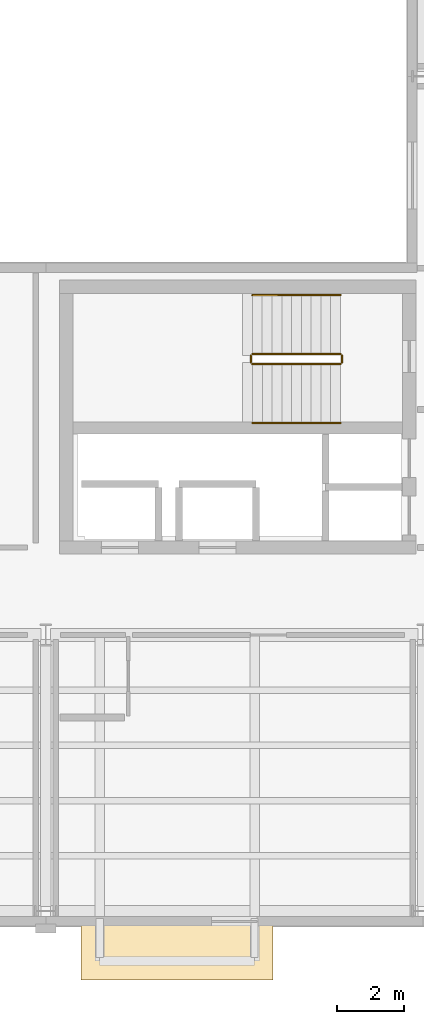
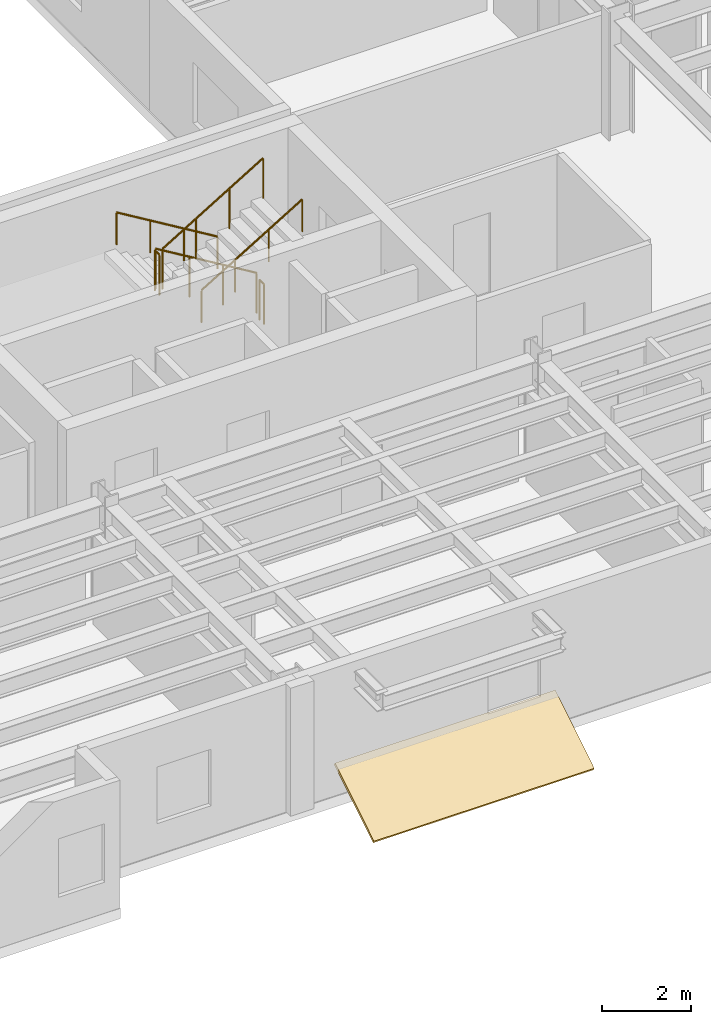
# One storey, part 22 of 23: 6 railings, 1 covering.
"""IFC4 building model written with IfcOpenShell, lengths in metres."""

from ifc_helpers import new_model, si_unit, direction, frame, origin, origin_2d, place, context, subcontext, project, spatial, polyline, circle, outline, extrude, material, layer, layer_set, type_object, element, save


model = new_model("IFC4")

# Units and contexts
model_context = context("Model", 3, precision=1e-05, world=origin(), true_north=direction((0.0, 1.0)))
body_context = subcontext(model_context, "Body", "Model", "MODEL_VIEW")
ifc_project = project(units=[si_unit("LENGTHUNIT", "METRE"), si_unit("AREAUNIT", "SQUARE_METRE"), si_unit("VOLUMEUNIT", "CUBIC_METRE"), si_unit("PLANEANGLEUNIT", "RADIAN"), si_unit("MASSUNIT", "GRAM", prefix="KILO")], contexts=[model_context])

# Site, building, storey
site_placement = place(None, origin())
site = spatial("IfcSite", under=ifc_project, at=site_placement, CompositionType="ELEMENT")
building_placement = place(site_placement, origin())
building = spatial("IfcBuilding", under=site, at=building_placement, Name="Sollismere Congress Hotel", CompositionType="ELEMENT")
storey_placement = place(building_placement, frame((0.0, 0.0, 30.60009765625)))
storey = spatial("IfcBuildingStorey", under=building, at=storey_placement, Name="L07", CompositionType="ELEMENT", Elevation=30.60009765625)

# Covering
ifc_material_1 = material(Name="Standing-Seam Titanium-Zinc Roof Assembly")
ifc_layer = layer(ifc_material_1, 0.054931640625, Name="Standing-Seam Titanium-Zinc Roof Assembly")
ifc_layer_set = layer_set([ifc_layer], Name="Standing-Seam Titanium-Zinc Roof Assembly")
covering_type = type_object("IfcCoveringType", Name="CV-RFZNC", PredefinedType="ROOFING", material=ifc_layer_set)
covering_placement = place(storey_placement, frame((137.050048828125, -2.008056640625, -0.373291015625), z_axis=(0.0, -0.525209771298, 0.850972794003), x_axis=(1.0, 0.0, 0.0)))
element("IfcCovering", 1, at=covering_placement, inside=storey, type_object=covering_type, Name="Cikma bay sacak hood SL-CKH-19", PredefinedType="ROOFING", context=body_context, shape_type="SweptSolid", body=[
    extrude(outline(polyline([(0.0, 0.0), (5.699951171875, 0.0), (5.699951171875, 2.056396484375), (0.0, 2.056396484375), (0.0, 0.0)])), origin(), (0.0, 0.0, 1.0), 0.080078125),
])

# Railings
ifc_material_2 = material(Name="Steel ASTM A500 Grade C", Category="steel")
railing_type_1 = type_object("IfcRailingType", Name="RL-GRD112", PredefinedType="GUARDRAIL", material=ifc_material_2)
railing_1_placement = place(storey_placement, frame((144.75, 16.550048828125, 0.1748046875)))
element("IfcRailing", 2, at=railing_1_placement, inside=storey, type_object=railing_type_1, Name="RLG-RG-ST-01-L07-1", PredefinedType="GUARDRAIL", context=body_context, shape_type="SweptSolid", body=[
    extrude(circle(Radius=0.02392578125, at=origin_2d()), frame((0.0, 0.0, 1.09619140625), z_axis=(-0.85616872604, 0.0, 0.516696344627), x_axis=(0.0, -1.0, 0.0)), (0.0, 0.0, 1.0), 3.048583984375),
    extrude(circle(Radius=0.02099609375, at=origin_2d()), origin(), (0.0, 0.0, 1.0), 1.072021484375),
    extrude(circle(Radius=0.02099609375, at=origin_2d()), frame((-0.8701171875, 0.0, 0.525146484375)), (0.0, 0.0, 1.0), 1.072021484375),
    extrude(circle(Radius=0.02099609375, at=origin_2d()), frame((-1.739990234375, 0.0, 1.050048828125)), (0.0, 0.0, 1.0), 1.072021484375),
    extrude(circle(Radius=0.02099609375, at=origin_2d()), frame((-2.610107421875, 0.0, 1.5751953125)), (0.0, 0.0, 1.0), 1.072021484375),
])
railing_2_placement = place(storey_placement, frame((142.090087890625, 16.5, 1.75)))
element("IfcRailing", 3, at=railing_2_placement, inside=storey, type_object=railing_type_1, Name="RLG-RG-ST-01-L07-2", PredefinedType="GUARDRAIL", context=body_context, shape_type="SweptSolid", body=[
    extrude(circle(Radius=0.02392578125, at=origin_2d()), frame((0.0, 0.0, 1.09619140625), z_axis=(0.0, -1.0, 0.0), x_axis=(1.0, 0.0, 0.0)), (0.0, 0.0, 1.0), 0.199951171875),
    extrude(circle(Radius=0.02099609375, at=origin_2d()), origin(), (0.0, 0.0, 1.0), 1.072021484375),
    extrude(circle(Radius=0.02099609375, at=origin_2d()), frame((0.0, -0.199951171875, 0.0)), (0.0, 0.0, 1.0), 1.072021484375),
])
railing_3_placement = place(storey_placement, frame((142.139892578125, 16.25, 1.9248046875)))
element("IfcRailing", 4, at=railing_3_placement, inside=storey, type_object=railing_type_1, Name="RLG-RG-ST-01-L07-3", PredefinedType="GUARDRAIL", context=body_context, shape_type="SweptSolid", body=[
    extrude(circle(Radius=0.02392578125, at=origin_2d()), frame((0.0, 0.0, 1.09619140625), z_axis=(0.85616872604, 0.0, 0.516696344627), x_axis=(0.0, 1.0, 0.0)), (0.0, 0.0, 1.0), 3.048583984375),
    extrude(circle(Radius=0.02099609375, at=origin_2d()), origin(), (0.0, 0.0, 1.0), 1.072021484375),
    extrude(circle(Radius=0.02099609375, at=origin_2d()), frame((0.8701171875, 0.0, 0.525146484375)), (0.0, 0.0, 1.0), 1.072021484375),
    extrude(circle(Radius=0.02099609375, at=origin_2d()), frame((1.739990234375, 0.0, 1.050048828125)), (0.0, 0.0, 1.0), 1.072021484375),
    extrude(circle(Radius=0.02099609375, at=origin_2d()), frame((2.610107421875, 0.0, 1.5751953125)), (0.0, 0.0, 1.0), 1.072021484375),
])
railing_4_placement = place(storey_placement, frame((144.800048828125, 16.5, 0.0)))
element("IfcRailing", 5, at=railing_4_placement, inside=storey, type_object=railing_type_1, Name="RLG-RG-ST-01-L07-4", PredefinedType="GUARDRAIL", context=body_context, shape_type="SweptSolid", body=[
    extrude(circle(Radius=0.02392578125, at=origin_2d()), frame((0.0, 0.0, 1.09619140625), z_axis=(0.0, -1.0, 0.0), x_axis=(1.0, 0.0, 0.0)), (0.0, 0.0, 1.0), 0.199951171875),
    extrude(circle(Radius=0.02099609375, at=origin_2d()), origin(), (0.0, 0.0, 1.0), 1.072021484375),
    extrude(circle(Radius=0.02099609375, at=origin_2d()), frame((0.0, -0.199951171875, 0.0)), (0.0, 0.0, 1.0), 1.072021484375),
])
ifc_material_3 = material(Name="Brushed Architectural Bronze")
railing_type_2 = type_object("IfcRailingType", Name="RL-HND90", PredefinedType="HANDRAIL", material=ifc_material_3)
railing_5_placement = place(storey_placement, frame((144.75, 18.300048828125, 0.325927734375)))
element("IfcRailing", 6, at=railing_5_placement, inside=storey, type_object=railing_type_2, Name="RLG-RH-ST-01-L07-1", PredefinedType="HANDRAIL", context=body_context, shape_type="SweptSolid", body=[
    extrude(circle(Radius=0.02392578125, at=origin_2d()), frame((0.0, 0.0, 0.8759765625), z_axis=(-0.856204152608, 0.0, 0.516637638057), x_axis=(0.0, -1.0, 0.0)), (0.0, 0.0, 1.0), 3.048583984375),
    extrude(circle(Radius=0.02099609375, at=origin_2d()), origin(), (0.0, 0.0, 1.0), 0.851806640625),
    extrude(circle(Radius=0.02099609375, at=origin_2d()), frame((-0.8701171875, 0.0, 0.52490234375)), (0.0, 0.0, 1.0), 0.851806640625),
    extrude(circle(Radius=0.02099609375, at=origin_2d()), frame((-1.739990234375, 0.0, 1.050048828125)), (0.0, 0.0, 1.0), 0.851806640625),
    extrude(circle(Radius=0.02099609375, at=origin_2d()), frame((-2.610107421875, 0.0, 1.574951171875)), (0.0, 0.0, 1.0), 0.851806640625),
])
railing_6_placement = place(storey_placement, frame((142.139892578125, 14.5, 2.075927734375)))
element("IfcRailing", 7, at=railing_6_placement, inside=storey, type_object=railing_type_2, Name="RLG-RH-ST-01-L07-2", PredefinedType="HANDRAIL", context=body_context, shape_type="SweptSolid", body=[
    extrude(circle(Radius=0.02392578125, at=origin_2d()), frame((0.0, 0.0, 0.8759765625), z_axis=(0.856204152608, 0.0, 0.516637638057), x_axis=(0.0, 1.0, 0.0)), (0.0, 0.0, 1.0), 3.048583984375),
    extrude(circle(Radius=0.02099609375, at=origin_2d()), origin(), (0.0, 0.0, 1.0), 0.851806640625),
    extrude(circle(Radius=0.02099609375, at=origin_2d()), frame((0.8701171875, 0.0, 0.52490234375)), (0.0, 0.0, 1.0), 0.851806640625),
    extrude(circle(Radius=0.02099609375, at=origin_2d()), frame((1.739990234375, 0.0, 1.050048828125)), (0.0, 0.0, 1.0), 0.851806640625),
    extrude(circle(Radius=0.02099609375, at=origin_2d()), frame((2.610107421875, 0.0, 1.574951171875)), (0.0, 0.0, 1.0), 0.851806640625),
])

save(model, "model.ifc")
